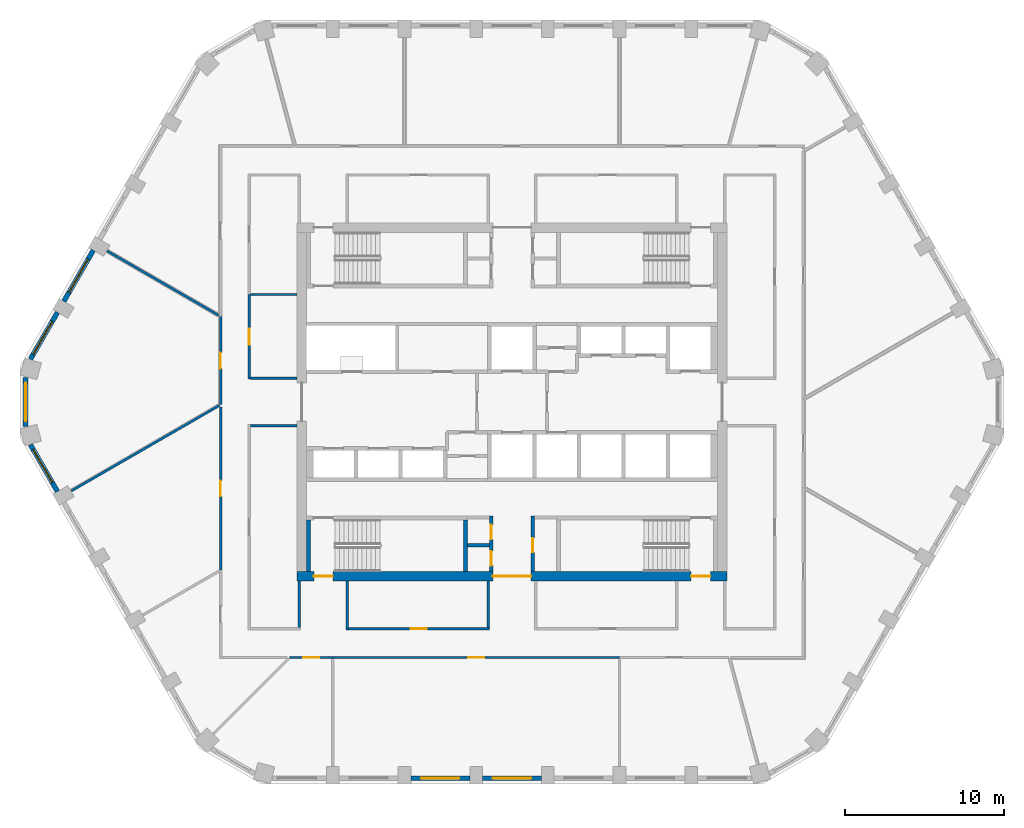
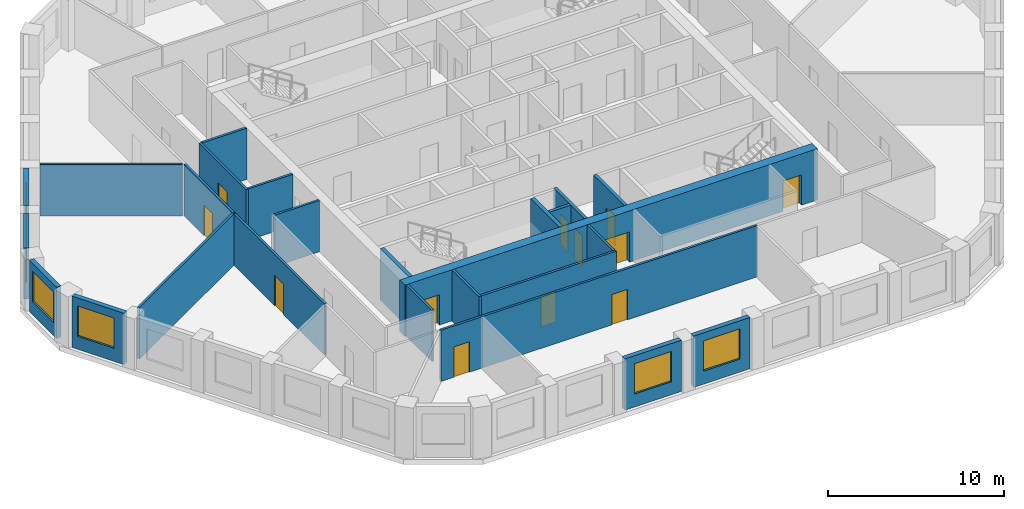
# One storey, part 2 of 13: 26 walls, 12 doors, 6 windows, 18 openings.
"""IFC4 building model written with IfcOpenShell, lengths in metres."""

from ifc_helpers import new_model, si_unit, direction, frame, frame_2d, origin, place, context, subcontext, project, spatial, rectangle, extrude, material, layer, layer_set, type_object, element, fill, save


model = new_model("IFC4")

# Units and contexts
model_context = context("Model", 3, precision=1e-05, world=origin(), true_north=direction((0.0, 1.0)))
body_context = subcontext(model_context, "Body", "Model", "MODEL_VIEW")
ifc_project = project(units=[si_unit("LENGTHUNIT", "METRE"), si_unit("AREAUNIT", "SQUARE_METRE"), si_unit("VOLUMEUNIT", "CUBIC_METRE"), si_unit("PLANEANGLEUNIT", "RADIAN"), si_unit("MASSUNIT", "GRAM", prefix="KILO")], contexts=[model_context])

# Site, building, storey
site_placement = place(None, origin())
site = spatial("IfcSite", under=ifc_project, at=site_placement, CompositionType="ELEMENT")
building_placement = place(site_placement, origin())
building = spatial("IfcBuilding", under=site, at=building_placement, Name="Dhurran Vertical Campus", CompositionType="ELEMENT")
storey_placement = place(building_placement, frame((0.0, 0.0, 191.699951171875)))
storey = spatial("IfcBuildingStorey", under=building, at=storey_placement, Name="L47", CompositionType="ELEMENT", Elevation=191.699951171875)

# Wall, opening, window
ifc_material_1 = material(Name="Precast concrete C50/60", Category="concrete")
ifc_layer_1 = layer(ifc_material_1, 0.300048828125)
ifc_layer_set_1 = layer_set([ifc_layer_1], Name="Precast concrete C50/60")
wall_type_1 = type_object("IfcWallType", Name="Precast spandrel wall 300", PredefinedType="SOLIDWALL", material=ifc_layer_set_1)
wall_1_placement = place(storey_placement, frame((-6.349609375, -23.635498046875, 0.0), z_axis=(0.0, 0.0, 1.0), x_axis=(1.0, 0.0, 0.0)))
wall_1 = element("IfcWall", 1, at=wall_1_placement, inside=storey, type_object=wall_type_1, Name="EW1 L47.02", PredefinedType="SOLIDWALL", context=body_context, shape_type="SweptSolid", body=[
    extrude(rectangle(XDim=3.69921875, YDim=0.300048828125, at=frame_2d((1.849609375, 0.0))), origin(), (0.0, 0.0, 1.0), 3.550048828125),
])
opening_1_placement = place(wall_1_placement, frame((0.6494140625, 0.0, 0.89990234375)))
opening_1 = element("IfcOpeningElement", 2, at=opening_1_placement, cuts=wall_1, Name="Opening WT1", PredefinedType="OPENING", context=body_context, shape_type="SweptSolid", body=[
    extrude(rectangle(XDim=2.39990234375, YDim=2.10009765625, at=frame_2d((1.199951171875, 1.050048828125))), frame((0.0, 0.159912109375, 0.0), z_axis=(0.0, -1.0, 0.0), x_axis=(1.0, 0.0, 0.0)), (0.0, 0.0, 1.0), 0.320068359375),
])
ifc_material_2 = material(Name="Aluminium frame with solar-control glass", Category="aluminium")
window_type = type_object("IfcWindowType", Name="Punched window 2400 x 2100", PartitioningType="SINGLE_PANEL", PredefinedType="WINDOW", material=ifc_material_2)
window_1_placement = place(opening_1_placement, origin())
window_1 = element("IfcWindow", 3, at=window_1_placement, inside=storey, type_object=window_type, Name="WT1 L47.02", OverallHeight=2.10009765625, OverallWidth=2.39990234375, PartitioningType="SINGLE_PANEL", PredefinedType="WINDOW", context=body_context, shape_type="SweptSolid", body=[
    extrude(rectangle(XDim=2.39990234375, YDim=2.10009765625, at=frame_2d((1.199951171875, 1.050048828125))), frame((0.0, 0.030029296875, 0.0), z_axis=(0.0, -1.0, 0.0), x_axis=(1.0, 0.0, 0.0)), (0.0, 0.0, 1.0), 0.06005859375),
])
fill(opening_1, window_1)

wall_2_placement = place(storey_placement, frame((-1.849609375, -23.635498046875, 0.0), z_axis=(0.0, 0.0, 1.0), x_axis=(1.0, 0.0, 0.0)))
wall_2 = element("IfcWall", 4, at=wall_2_placement, inside=storey, type_object=wall_type_1, Name="EW1 L47.03", PredefinedType="SOLIDWALL", context=body_context, shape_type="SweptSolid", body=[
    extrude(rectangle(XDim=3.69921875, YDim=0.300048828125, at=frame_2d((1.849609375, 0.0))), origin(), (0.0, 0.0, 1.0), 3.550048828125),
])
opening_2_placement = place(wall_2_placement, frame((0.6494140625, 0.0, 0.89990234375)))
opening_2 = element("IfcOpeningElement", 5, at=opening_2_placement, cuts=wall_2, Name="Opening WT1", PredefinedType="OPENING", context=body_context, shape_type="SweptSolid", body=[
    extrude(rectangle(XDim=2.39990234375, YDim=2.10009765625, at=frame_2d((1.199951171875, 1.050048828125))), frame((0.0, 0.159912109375, 0.0), z_axis=(0.0, -1.0, 0.0), x_axis=(1.0, 0.0, 0.0)), (0.0, 0.0, 1.0), 0.320068359375),
])
window_2_placement = place(opening_2_placement, origin())
window_2 = element("IfcWindow", 6, at=window_2_placement, inside=storey, type_object=window_type, Name="WT1 L47.03", OverallHeight=2.10009765625, OverallWidth=2.39990234375, PartitioningType="SINGLE_PANEL", PredefinedType="WINDOW", context=body_context, shape_type="SweptSolid", body=[
    extrude(rectangle(XDim=2.39990234375, YDim=2.10009765625, at=frame_2d((1.199951171875, 1.050048828125))), frame((0.0, 0.030029296875, 0.0), z_axis=(0.0, -1.0, 0.0), x_axis=(1.0, 0.0, 0.0)), (0.0, 0.0, 1.0), 0.06005859375),
])
fill(opening_2, window_2)

wall_3_placement = place(storey_placement, frame((-26.294189453125, 9.5224609375, 0.0), z_axis=(0.0, 0.0, 1.0), x_axis=(-0.500029062817, -0.866008623709, 0.0)))
wall_3 = element("IfcWall", 7, at=wall_3_placement, inside=storey, type_object=wall_type_1, Name="EW1 L47.31", PredefinedType="SOLIDWALL", context=body_context, shape_type="SweptSolid", body=[
    extrude(rectangle(XDim=3.698974609375, YDim=0.300048828125, at=frame_2d((1.849609375, 0.0))), origin(), (0.0, 0.0, 1.0), 3.550048828125),
])
opening_3_placement = place(wall_3_placement, frame((0.6494140625, 0.0, 0.89990234375)))
opening_3 = element("IfcOpeningElement", 8, at=opening_3_placement, cuts=wall_3, Name="Opening WT1", PredefinedType="OPENING", context=body_context, shape_type="SweptSolid", body=[
    extrude(rectangle(XDim=2.39990234375, YDim=2.10009765625, at=frame_2d((1.199951171875, 1.050048828125))), frame((0.0, 0.159912109375, 0.0), z_axis=(0.0, -1.0, 0.0), x_axis=(1.0, 0.0, 0.0)), (0.0, 0.0, 1.0), 0.320068359375),
])
window_3_placement = place(opening_3_placement, origin())
window_3 = element("IfcWindow", 9, at=window_3_placement, inside=storey, type_object=window_type, Name="WT1 L47.31", OverallHeight=2.10009765625, OverallWidth=2.39990234375, PartitioningType="SINGLE_PANEL", PredefinedType="WINDOW", context=body_context, shape_type="SweptSolid", body=[
    extrude(rectangle(XDim=2.39990234375, YDim=2.10009765625, at=frame_2d((1.199951171875, 1.050048828125))), frame((0.0, 0.030029296875, 0.0), z_axis=(0.0, -1.0, 0.0), x_axis=(1.0, 0.0, 0.0)), (0.0, 0.0, 1.0), 0.06005859375),
])
fill(opening_3, window_3)

wall_4_placement = place(storey_placement, frame((-28.544189453125, 5.625244140625, 0.0), z_axis=(0.0, 0.0, 1.0), x_axis=(-0.500012868213, -0.866017974191, 0.0)))
wall_4 = element("IfcWall", 10, at=wall_4_placement, inside=storey, type_object=wall_type_1, Name="EW1 L47.32", PredefinedType="SOLIDWALL", context=body_context, shape_type="SweptSolid", body=[
    extrude(rectangle(XDim=3.39599609375, YDim=0.300048828125, at=frame_2d((1.697998046875, 0.0))), origin(), (0.0, 0.0, 1.0), 3.550048828125),
])
opening_4_placement = place(wall_4_placement, frame((0.6494140625, 0.0, 0.89990234375)))
opening_4 = element("IfcOpeningElement", 11, at=opening_4_placement, cuts=wall_4, Name="Opening WT1", PredefinedType="OPENING", context=body_context, shape_type="SweptSolid", body=[
    extrude(rectangle(XDim=2.39990234375, YDim=2.10009765625, at=frame_2d((1.199951171875, 1.050048828125))), frame((0.0, 0.159912109375, 0.0), z_axis=(0.0, -1.0, 0.0), x_axis=(1.0, 0.0, 0.0)), (0.0, 0.0, 1.0), 0.320068359375),
])
window_4_placement = place(opening_4_placement, origin())
window_4 = element("IfcWindow", 12, at=window_4_placement, inside=storey, type_object=window_type, Name="WT1 L47.32", OverallHeight=2.10009765625, OverallWidth=2.39990234375, PartitioningType="SINGLE_PANEL", PredefinedType="WINDOW", context=body_context, shape_type="SweptSolid", body=[
    extrude(rectangle(XDim=2.39990234375, YDim=2.10009765625, at=frame_2d((1.199951171875, 1.050048828125))), frame((0.0, 0.030029296875, 0.0), z_axis=(0.0, -1.0, 0.0), x_axis=(1.0, 0.0, 0.0)), (0.0, 0.0, 1.0), 0.06005859375),
])
fill(opening_4, window_4)

wall_5_placement = place(storey_placement, frame((-30.547119140625, 1.54638671875, 0.0), z_axis=(0.0, 0.0, 1.0), x_axis=(0.0, -1.0, 0.0)))
wall_5 = element("IfcWall", 13, at=wall_5_placement, inside=storey, type_object=wall_type_1, Name="EW1 L47.33", PredefinedType="SOLIDWALL", context=body_context, shape_type="SweptSolid", body=[
    extrude(rectangle(XDim=3.0927734375, YDim=0.300048828125, at=frame_2d((1.54638671875, 0.0))), origin(), (0.0, 0.0, 1.0), 3.550048828125),
])
opening_5_placement = place(wall_5_placement, frame((0.34619140625, 0.0, 0.89990234375)))
opening_5 = element("IfcOpeningElement", 14, at=opening_5_placement, cuts=wall_5, Name="Opening WT1", PredefinedType="OPENING", context=body_context, shape_type="SweptSolid", body=[
    extrude(rectangle(XDim=2.39990234375, YDim=2.10009765625, at=frame_2d((1.199951171875, 1.050048828125))), frame((0.0, 0.159912109375, 0.0), z_axis=(0.0, -1.0, 0.0), x_axis=(1.0, 0.0, 0.0)), (0.0, 0.0, 1.0), 0.320068359375),
])
window_5_placement = place(opening_5_placement, origin())
window_5 = element("IfcWindow", 15, at=window_5_placement, inside=storey, type_object=window_type, Name="WT1 L47.33", OverallHeight=2.10009765625, OverallWidth=2.39990234375, PartitioningType="SINGLE_PANEL", PredefinedType="WINDOW", context=body_context, shape_type="SweptSolid", body=[
    extrude(rectangle(XDim=2.39990234375, YDim=2.10009765625, at=frame_2d((1.199951171875, 1.050048828125))), frame((0.0, 0.030029296875, 0.0), z_axis=(0.0, -1.0, 0.0), x_axis=(1.0, 0.0, 0.0)), (0.0, 0.0, 1.0), 0.06005859375),
])
fill(opening_5, window_5)

wall_6_placement = place(storey_placement, frame((-30.2421875, -2.684326171875, 0.0), z_axis=(0.0, 0.0, 1.0), x_axis=(0.500012868213, -0.866017974191, 0.0)))
wall_6 = element("IfcWall", 16, at=wall_6_placement, inside=storey, type_object=wall_type_1, Name="EW1 L47.34", PredefinedType="SOLIDWALL", context=body_context, shape_type="SweptSolid", body=[
    extrude(rectangle(XDim=3.39599609375, YDim=0.300048828125, at=frame_2d((1.697998046875, 0.0))), origin(), (0.0, 0.0, 1.0), 3.550048828125),
])
opening_6_placement = place(wall_6_placement, frame((0.346435546875, 0.0, 0.89990234375)))
opening_6 = element("IfcOpeningElement", 17, at=opening_6_placement, cuts=wall_6, Name="Opening WT1", PredefinedType="OPENING", context=body_context, shape_type="SweptSolid", body=[
    extrude(rectangle(XDim=2.39990234375, YDim=2.10009765625, at=frame_2d((1.199951171875, 1.050048828125))), frame((0.0, 0.159912109375, 0.0), z_axis=(0.0, -1.0, 0.0), x_axis=(1.0, 0.0, 0.0)), (0.0, 0.0, 1.0), 0.320068359375),
])
window_6_placement = place(opening_6_placement, origin())
window_6 = element("IfcWindow", 18, at=window_6_placement, inside=storey, type_object=window_type, Name="WT1 L47.34", OverallHeight=2.10009765625, OverallWidth=2.39990234375, PartitioningType="SINGLE_PANEL", PredefinedType="WINDOW", context=body_context, shape_type="SweptSolid", body=[
    extrude(rectangle(XDim=2.39990234375, YDim=2.10009765625, at=frame_2d((1.199951171875, 1.050048828125))), frame((0.0, 0.030029296875, 0.0), z_axis=(0.0, -1.0, 0.0), x_axis=(1.0, 0.0, 0.0)), (0.0, 0.0, 1.0), 0.06005859375),
])
fill(opening_6, window_6)

# Wall, openings, doors
ifc_material_3 = material(Name="Concrete C50/60", Category="concrete")
ifc_layer_2 = layer(ifc_material_3, 0.60009765625)
ifc_layer_set_2 = layer_set([ifc_layer_2], Name="Concrete C50/60")
wall_type_2 = type_object("IfcWallType", Name="co-CORE-WALL-C2-600", PredefinedType="SHEAR", material=ifc_layer_set_2)
wall_7_placement = place(storey_placement, frame((-13.5, -10.949951171875, 0.0), z_axis=(0.0, 0.0, 1.0), x_axis=(1.0, 0.0, 0.0)))
wall_7 = element("IfcWall", 19, at=wall_7_placement, inside=storey, type_object=wall_type_2, Name="Core wall S L47", PredefinedType="SHEAR", context=body_context, shape_type="SweptSolid", body=[
    extrude(rectangle(XDim=27.0, YDim=0.60009765625, at=frame_2d((13.5, 0.0))), origin(), (0.0, 0.0, 1.0), 3.550048828125),
])
opening_7_placement = place(wall_7_placement, frame((12.300048828125, 0.0, 0.0)))
opening_7 = element("IfcOpeningElement", 20, at=opening_7_placement, cuts=wall_7, Name="Opening CV2", PredefinedType="OPENING", context=body_context, shape_type="SweptSolid", body=[
    extrude(rectangle(XDim=2.39990234375, YDim=2.10009765625, at=frame_2d((1.199951171875, 1.050048828125))), frame((0.0, 0.31005859375, 0.0), z_axis=(0.0, -1.0, 0.0), x_axis=(1.0, 0.0, 0.0)), (0.0, 0.0, 1.0), 0.6201171875),
])
opening_8_placement = place(wall_7_placement, frame((1.050048828125, 0.0, 0.0)))
opening_8 = element("IfcOpeningElement", 21, at=opening_8_placement, cuts=wall_7, Name="Opening XD3", PredefinedType="OPENING", context=body_context, shape_type="SweptSolid", body=[
    extrude(rectangle(XDim=1.199951171875, YDim=2.10009765625, at=frame_2d((0.60009765625, 1.050048828125))), frame((0.0, 0.31005859375, 0.0), z_axis=(0.0, -1.0, 0.0), x_axis=(1.0, 0.0, 0.0)), (0.0, 0.0, 1.0), 0.6201171875),
])
opening_9_placement = place(wall_7_placement, frame((24.75, 0.0, 0.0)))
opening_9 = element("IfcOpeningElement", 22, at=opening_9_placement, cuts=wall_7, Name="Opening XD4", PredefinedType="OPENING", context=body_context, shape_type="SweptSolid", body=[
    extrude(rectangle(XDim=1.199951171875, YDim=2.10009765625, at=frame_2d((0.60009765625, 1.050048828125))), frame((0.0, 0.31005859375, 0.0), z_axis=(0.0, -1.0, 0.0), x_axis=(1.0, 0.0, 0.0)), (0.0, 0.0, 1.0), 0.6201171875),
])
ifc_material_4 = material(Name="Fire-rated glazed door set")
door_type_1 = type_object("IfcDoorType", Name="co-D-LOBBY 2400x2100", OperationType="DOUBLE_DOOR_DOUBLE_SWING", PredefinedType="DOOR", material=ifc_material_4)
door_1_placement = place(opening_7_placement, origin())
door_1 = element("IfcDoor", 23, at=door_1_placement, inside=storey, type_object=door_type_1, Name="Core vestibule door S L47", OperationType="DOUBLE_DOOR_DOUBLE_SWING", OverallHeight=2.10009765625, OverallWidth=2.39990234375, PredefinedType="DOOR", context=body_context, shape_type="SweptSolid", body=[
    extrude(rectangle(XDim=2.39990234375, YDim=2.10009765625, at=frame_2d((1.199951171875, 1.050048828125))), frame((0.0, 0.02490234375, 0.0), z_axis=(0.0, -1.0, 0.0), x_axis=(1.0, 0.0, 0.0)), (0.0, 0.0, 1.0), 0.050048828125),
])
fill(opening_7, door_1)
ifc_material_5 = material(Name="Fire-rated steel door set", Category="steel")
door_type_2 = type_object("IfcDoorType", Name="co-D-STAIR-EXIT 1200x2100", OperationType="SINGLE_SWING_RIGHT", PredefinedType="DOOR", material=ifc_material_5)
door_2_placement = place(opening_8_placement, origin())
door_2 = element("IfcDoor", 24, at=door_2_placement, inside=storey, type_object=door_type_2, Name="Stair ST3 exit door L47", OperationType="SINGLE_SWING_RIGHT", OverallHeight=2.10009765625, OverallWidth=1.199951171875, PredefinedType="DOOR", context=body_context, shape_type="SweptSolid", body=[
    extrude(rectangle(XDim=1.199951171875, YDim=2.10009765625, at=frame_2d((0.60009765625, 1.050048828125))), frame((0.0, 0.02490234375, 0.0), z_axis=(0.0, -1.0, 0.0), x_axis=(1.0, 0.0, 0.0)), (0.0, 0.0, 1.0), 0.050048828125),
])
fill(opening_8, door_2)
door_3_placement = place(opening_9_placement, origin())
door_3 = element("IfcDoor", 25, at=door_3_placement, inside=storey, type_object=door_type_2, Name="Stair ST4 exit door L47", OperationType="SINGLE_SWING_RIGHT", OverallHeight=2.10009765625, OverallWidth=1.199951171875, PredefinedType="DOOR", context=body_context, shape_type="SweptSolid", body=[
    extrude(rectangle(XDim=1.199951171875, YDim=2.10009765625, at=frame_2d((0.60009765625, 1.050048828125))), frame((0.0, 0.02490234375, 0.0), z_axis=(0.0, -1.0, 0.0), x_axis=(1.0, 0.0, 0.0)), (0.0, 0.0, 1.0), 0.050048828125),
])
fill(opening_9, door_3)

# Wall
ifc_material_6 = material(Name="Fire-rated masonry blockwork", Category="masonry")
ifc_layer_3 = layer(ifc_material_6, 0.199951171875)
ifc_layer_set_3 = layer_set([ifc_layer_3], Name="Fire-rated masonry blockwork")
wall_type_3 = type_object("IfcWallType", Name="co-FIRE-PARTITION-200", PredefinedType="PARTITIONING", material=ifc_layer_set_3)
wall_8_placement = place(storey_placement, frame((-2.800048828125, -9.0, 0.0), z_axis=(0.0, 0.0, 1.0), x_axis=(1.0, 0.0, 0.0)))
element("IfcWall", 26, at=wall_8_placement, inside=storey, type_object=wall_type_3, Name="Core partition sl-SW-cut0 L47", PredefinedType="PARTITIONING", context=body_context, shape_type="SweptSolid", body=[
    extrude(rectangle(XDim=1.400146484375, YDim=0.199951171875, at=frame_2d((0.7001953125, 0.0))), origin(), (0.0, 0.0, 1.0), 3.550048828125),
])

# Wall, openings, doors
wall_9_placement = place(storey_placement, frame((-1.300048828125, -10.64990234375, 0.0), z_axis=(0.0, 0.0, 1.0), x_axis=(0.0, 1.0, 0.0)))
wall_9 = element("IfcWall", 27, at=wall_9_placement, inside=storey, type_object=wall_type_3, Name="Core partition vest-SW L47", PredefinedType="PARTITIONING", context=body_context, shape_type="SweptSolid", body=[
    extrude(rectangle(XDim=3.5, YDim=0.199951171875, at=frame_2d((1.75, 0.0))), origin(), (0.0, 0.0, 1.0), 3.550048828125),
])
opening_10_placement = place(wall_9_placement, frame((0.375, 0.0, 0.0)))
opening_10 = element("IfcOpeningElement", 28, at=opening_10_placement, cuts=wall_9, Name="Opening T13-C1", PredefinedType="OPENING", context=body_context, shape_type="SweptSolid", body=[
    extrude(rectangle(XDim=0.89990234375, YDim=2.10009765625, at=frame_2d((0.449951171875, 1.050048828125))), frame((0.0, 0.10986328125, 0.0), z_axis=(0.0, -1.0, 0.0), x_axis=(1.0, 0.0, 0.0)), (0.0, 0.0, 1.0), 0.219970703125),
])
opening_11_placement = place(wall_9_placement, frame((2.02490234375, 0.0, 0.0)))
opening_11 = element("IfcOpeningElement", 29, at=opening_11_placement, cuts=wall_9, Name="Opening T13-C2", PredefinedType="OPENING", context=body_context, shape_type="SweptSolid", body=[
    extrude(rectangle(XDim=0.89990234375, YDim=2.10009765625, at=frame_2d((0.449951171875, 1.050048828125))), frame((0.0, 0.10986328125, 0.0), z_axis=(0.0, -1.0, 0.0), x_axis=(1.0, 0.0, 0.0)), (0.0, 0.0, 1.0), 0.219970703125),
])
ifc_material_7 = material(Name="Fire-rated timber door set", Category="wood")
door_type_3 = type_object("IfcDoorType", Name="co-D-ROOM 900x2100", OperationType="SINGLE_SWING_LEFT", PredefinedType="DOOR", material=ifc_material_7)
door_4_placement = place(opening_10_placement, origin())
door_4 = element("IfcDoor", 30, at=door_4_placement, inside=storey, type_object=door_type_3, Name="Print room door L47", OperationType="SINGLE_SWING_LEFT", OverallHeight=2.10009765625, OverallWidth=0.89990234375, PredefinedType="DOOR", context=body_context, shape_type="SweptSolid", body=[
    extrude(rectangle(XDim=0.89990234375, YDim=2.10009765625, at=frame_2d((0.449951171875, 1.050048828125))), frame((0.0, 0.02490234375, 0.0), z_axis=(0.0, -1.0, 0.0), x_axis=(1.0, 0.0, 0.0)), (0.0, 0.0, 1.0), 0.050048828125),
])
fill(opening_10, door_4)
door_5_placement = place(opening_11_placement, origin())
door_5 = element("IfcDoor", 31, at=door_5_placement, inside=storey, type_object=door_type_3, Name="Communications room door L47", OperationType="SINGLE_SWING_LEFT", OverallHeight=2.10009765625, OverallWidth=0.89990234375, PredefinedType="DOOR", context=body_context, shape_type="SweptSolid", body=[
    extrude(rectangle(XDim=0.89990234375, YDim=2.10009765625, at=frame_2d((0.449951171875, 1.050048828125))), frame((0.0, 0.02490234375, 0.0), z_axis=(0.0, -1.0, 0.0), x_axis=(1.0, 0.0, 0.0)), (0.0, 0.0, 1.0), 0.050048828125),
])
fill(opening_11, door_5)

# Wall, opening, door
wall_10_placement = place(storey_placement, frame((1.300048828125, -10.64990234375, 0.0), z_axis=(0.0, 0.0, 1.0), x_axis=(0.0, 1.0, 0.0)))
wall_10 = element("IfcWall", 32, at=wall_10_placement, inside=storey, type_object=wall_type_3, Name="Core partition vest-SE L47", PredefinedType="PARTITIONING", context=body_context, shape_type="SweptSolid", body=[
    extrude(rectangle(XDim=3.5, YDim=0.199951171875, at=frame_2d((1.75, 0.0))), origin(), (0.0, 0.0, 1.0), 3.550048828125),
])
opening_12_placement = place(wall_10_placement, frame((1.199951171875, 0.0, 0.0)))
opening_12 = element("IfcOpeningElement", 33, at=opening_12_placement, cuts=wall_10, Name="Opening T13-C3", PredefinedType="OPENING", context=body_context, shape_type="SweptSolid", body=[
    extrude(rectangle(XDim=0.89990234375, YDim=2.10009765625, at=frame_2d((0.449951171875, 1.050048828125))), frame((0.0, 0.10986328125, 0.0), z_axis=(0.0, -1.0, 0.0), x_axis=(1.0, 0.0, 0.0)), (0.0, 0.0, 1.0), 0.219970703125),
])
door_6_placement = place(opening_12_placement, origin())
door_6 = element("IfcDoor", 34, at=door_6_placement, inside=storey, type_object=door_type_3, Name="Cleaner's store door L47", OperationType="SINGLE_SWING_LEFT", OverallHeight=2.10009765625, OverallWidth=0.89990234375, PredefinedType="DOOR", context=body_context, shape_type="SweptSolid", body=[
    extrude(rectangle(XDim=0.89990234375, YDim=2.10009765625, at=frame_2d((0.449951171875, 1.050048828125))), frame((0.0, 0.02490234375, 0.0), z_axis=(0.0, -1.0, 0.0), x_axis=(1.0, 0.0, 0.0)), (0.0, 0.0, 1.0), 0.050048828125),
])
fill(opening_12, door_6)

# Walls
ifc_material_8 = material(Name="Concrete C40/50", Category="concrete")
ifc_layer_4 = layer(ifc_material_8, 0.25)
ifc_layer_set_4 = layer_set([ifc_layer_4], Name="Concrete C40/50")
wall_type_4 = type_object("IfcWallType", Name="co-STAIR-WALL-250", PredefinedType="SHEAR", material=ifc_layer_set_4)
for number, where, z_axis, x_axis, name in (
    (35, (-12.77490234375, -10.64990234375, 0.0), (0.0, 0.0, 1.0), (0.0, 1.0, 0.0), "Stair ST3 enclosure wall L47"),
    (36, (-2.925048828125, -10.64990234375, 0.0), (0.0, 0.0, 1.0), (0.0, 1.0, 0.0), "Stair ST3 enclosure wall L47"),
):
    element("IfcWall", number, at=place(storey_placement, frame(where, z_axis=z_axis, x_axis=x_axis)), inside=storey, type_object=wall_type_4, Name=name, PredefinedType="SHEAR", context=body_context, shape_type="SweptSolid", body=[
        extrude(rectangle(XDim=3.25, YDim=0.25, at=frame_2d((1.625, 0.0))), origin(), (0.0, 0.0, 1.0), 3.550048828125),
    ])

# Wall, opening, door
ifc_material_9 = material(Name="Gypsum board corridor wall on steel studs", Category="steel")
ifc_layer_5 = layer(ifc_material_9, 0.14990234375)
ifc_layer_set_5 = layer_set([ifc_layer_5], Name="Gypsum board corridor wall on steel studs")
wall_type_5 = type_object("IfcWallType", Name="fl-CW-150 corridor wall", PredefinedType="PARTITIONING", material=ifc_layer_set_5)
wall_11_placement = place(storey_placement, frame((-18.300048828125, -0.302978515625, 0.0), z_axis=(0.0, 0.0, 1.0), x_axis=(0.0, -1.0, 0.0)))
wall_11 = element("IfcWall", 37, at=wall_11_placement, inside=storey, type_object=wall_type_5, Name="Partition 47-07", PredefinedType="PARTITIONING", context=body_context, shape_type="SweptSolid", body=[
    extrude(rectangle(XDim=10.262939453125, YDim=0.14990234375, at=frame_2d((5.13134765625, 0.0))), origin(), (0.0, 0.0, 1.0), 3.550048828125),
])
opening_13_placement = place(wall_11_placement, frame((4.631591796875, 0.0, 0.0)))
opening_13 = element("IfcOpeningElement", 38, at=opening_13_placement, cuts=wall_11, Name="Opening T13.02", PredefinedType="OPENING", context=body_context, shape_type="SweptSolid", body=[
    extrude(rectangle(XDim=1.0, YDim=2.10009765625, at=frame_2d((0.5, 1.050048828125))), frame((0.0, 0.0849609375, 0.0), z_axis=(0.0, -1.0, 0.0), x_axis=(1.0, 0.0, 0.0)), (0.0, 0.0, 1.0), 0.169921875),
])
ifc_material_10 = material(Name="Solid-core timber door set, fire-rated", Category="wood")
door_type_4 = type_object("IfcDoorType", Name="fl-D-1000x2100", OperationType="SINGLE_SWING_LEFT", PredefinedType="DOOR", material=ifc_material_10)
door_7_placement = place(opening_13_placement, origin())
door_7 = element("IfcDoor", 39, at=door_7_placement, inside=storey, type_object=door_type_4, Name="Door 47.02", OperationType="SINGLE_SWING_RIGHT", OverallHeight=2.10009765625, OverallWidth=1.0, PredefinedType="DOOR", context=body_context, shape_type="SweptSolid", body=[
    extrude(rectangle(XDim=1.0, YDim=2.10009765625, at=frame_2d((0.5, 1.050048828125))), frame((0.0, 0.02490234375, 0.0), z_axis=(0.0, -1.0, 0.0), x_axis=(1.0, 0.0, 0.0)), (0.0, 0.0, 1.0), 0.050048828125),
])
fill(opening_13, door_7)

wall_12_placement = place(storey_placement, frame((-18.300048828125, 5.368896484375, 0.0), z_axis=(0.0, 0.0, 1.0), x_axis=(0.0, -1.0, 0.0)))
wall_12 = element("IfcWall", 40, at=wall_12_placement, inside=storey, type_object=wall_type_5, Name="Partition 47-08", PredefinedType="PARTITIONING", context=body_context, shape_type="SweptSolid", body=[
    extrude(rectangle(XDim=5.5419921875, YDim=0.14990234375, at=frame_2d((2.77099609375, 0.0))), origin(), (0.0, 0.0, 1.0), 3.550048828125),
])
opening_14_placement = place(wall_12_placement, frame((2.27099609375, 0.0, 0.0)))
opening_14 = element("IfcOpeningElement", 41, at=opening_14_placement, cuts=wall_12, Name="Opening T13.01", PredefinedType="OPENING", context=body_context, shape_type="SweptSolid", body=[
    extrude(rectangle(XDim=1.0, YDim=2.10009765625, at=frame_2d((0.5, 1.050048828125))), frame((0.0, 0.0849609375, 0.0), z_axis=(0.0, -1.0, 0.0), x_axis=(1.0, 0.0, 0.0)), (0.0, 0.0, 1.0), 0.169921875),
])
door_8_placement = place(opening_14_placement, origin())
door_8 = element("IfcDoor", 42, at=door_8_placement, inside=storey, type_object=door_type_4, Name="Door 47.01", OperationType="SINGLE_SWING_LEFT", OverallHeight=2.10009765625, OverallWidth=1.0, PredefinedType="DOOR", context=body_context, shape_type="SweptSolid", body=[
    extrude(rectangle(XDim=1.0, YDim=2.10009765625, at=frame_2d((0.5, 1.050048828125))), frame((0.0, 0.02490234375, 0.0), z_axis=(0.0, -1.0, 0.0), x_axis=(1.0, 0.0, 0.0)), (0.0, 0.0, 1.0), 0.050048828125),
])
fill(opening_14, door_8)

# Wall
wall_13_placement = place(storey_placement, frame((-16.425048828125, -1.5, 0.0), z_axis=(0.0, 0.0, 1.0), x_axis=(1.0, 0.0, 0.0)))
element("IfcWall", 43, at=wall_13_placement, inside=storey, type_object=wall_type_5, Name="Partition 47-13", PredefinedType="PARTITIONING", context=body_context, shape_type="SweptSolid", body=[
    extrude(rectangle(XDim=2.925048828125, YDim=0.14990234375, at=frame_2d((1.46240234375, 0.0))), origin(), (0.0, 0.0, 1.0), 3.550048828125),
])

# Wall, opening, door
wall_14_placement = place(storey_placement, frame((-16.5, 1.425048828125, 0.0), z_axis=(0.0, 0.0, 1.0), x_axis=(0.0, 1.0, 0.0)))
wall_14 = element("IfcWall", 44, at=wall_14_placement, inside=storey, type_object=wall_type_5, Name="Partition 47-14", PredefinedType="PARTITIONING", context=body_context, shape_type="SweptSolid", body=[
    extrude(rectangle(XDim=5.324951171875, YDim=0.14990234375, at=frame_2d((2.66259765625, 0.0))), origin(), (0.0, 0.0, 1.0), 3.550048828125),
])
opening_15_placement = place(wall_14_placement, frame((2.16259765625, 0.0, 0.0)))
opening_15 = element("IfcOpeningElement", 45, at=opening_15_placement, cuts=wall_14, Name="Opening T13.05", PredefinedType="OPENING", context=body_context, shape_type="SweptSolid", body=[
    extrude(rectangle(XDim=1.0, YDim=2.10009765625, at=frame_2d((0.5, 1.050048828125))), frame((0.0, 0.0849609375, 0.0), z_axis=(0.0, -1.0, 0.0), x_axis=(1.0, 0.0, 0.0)), (0.0, 0.0, 1.0), 0.169921875),
])
door_9_placement = place(opening_15_placement, origin())
door_9 = element("IfcDoor", 46, at=door_9_placement, inside=storey, type_object=door_type_4, Name="Door 47.05", OperationType="SINGLE_SWING_RIGHT", OverallHeight=2.10009765625, OverallWidth=1.0, PredefinedType="DOOR", context=body_context, shape_type="SweptSolid", body=[
    extrude(rectangle(XDim=1.0, YDim=2.10009765625, at=frame_2d((0.5, 1.050048828125))), frame((0.0, 0.02490234375, 0.0), z_axis=(0.0, -1.0, 0.0), x_axis=(1.0, 0.0, 0.0)), (0.0, 0.0, 1.0), 0.050048828125),
])
fill(opening_15, door_9)

# Wall
wall_15_placement = place(storey_placement, frame((-13.5, 1.5, 0.0), z_axis=(0.0, 0.0, 1.0), x_axis=(-1.0, 0.0, 0.0)))
element("IfcWall", 47, at=wall_15_placement, inside=storey, type_object=wall_type_5, Name="Partition 47-15", PredefinedType="PARTITIONING", context=body_context, shape_type="SweptSolid", body=[
    extrude(rectangle(XDim=2.925048828125, YDim=0.14990234375, at=frame_2d((1.46240234375, 0.0))), origin(), (0.0, 0.0, 1.0), 3.550048828125),
])

# Wall, opening, door
wall_16_placement = place(storey_placement, frame((-13.9619140625, -16.050048828125, 0.0), z_axis=(0.0, 0.0, 1.0), x_axis=(1.0, 0.0, 0.0)))
wall_16 = element("IfcWall", 48, at=wall_16_placement, inside=storey, type_object=wall_type_5, Name="Partition 47-20", PredefinedType="PARTITIONING", context=body_context, shape_type="SweptSolid", body=[
    extrude(rectangle(XDim=2.7119140625, YDim=0.14990234375, at=frame_2d((1.35595703125, 0.0))), origin(), (0.0, 0.0, 1.0), 3.550048828125),
])
opening_16_placement = place(wall_16_placement, frame((0.85595703125, 0.0, 0.0)))
opening_16 = element("IfcOpeningElement", 49, at=opening_16_placement, cuts=wall_16, Name="Opening T13.08", PredefinedType="OPENING", context=body_context, shape_type="SweptSolid", body=[
    extrude(rectangle(XDim=1.0, YDim=2.10009765625, at=frame_2d((0.5, 1.050048828125))), frame((0.0, 0.0849609375, 0.0), z_axis=(0.0, -1.0, 0.0), x_axis=(1.0, 0.0, 0.0)), (0.0, 0.0, 1.0), 0.169921875),
])
door_10_placement = place(opening_16_placement, origin())
door_10 = element("IfcDoor", 50, at=door_10_placement, inside=storey, type_object=door_type_4, Name="Door 47.08", OperationType="SINGLE_SWING_LEFT", OverallHeight=2.10009765625, OverallWidth=1.0, PredefinedType="DOOR", context=body_context, shape_type="SweptSolid", body=[
    extrude(rectangle(XDim=1.0, YDim=2.10009765625, at=frame_2d((0.5, 1.050048828125))), frame((0.0, 0.02490234375, 0.0), z_axis=(0.0, -1.0, 0.0), x_axis=(1.0, 0.0, 0.0)), (0.0, 0.0, 1.0), 0.050048828125),
])
fill(opening_16, door_10)

# Wall
wall_17_placement = place(storey_placement, frame((-13.35009765625, -11.25, 0.0), z_axis=(0.0, 0.0, 1.0), x_axis=(0.0, -1.0, 0.0)))
element("IfcWall", 51, at=wall_17_placement, inside=storey, type_object=wall_type_5, Name="Partition 47-22", PredefinedType="PARTITIONING", context=body_context, shape_type="SweptSolid", body=[
    extrude(rectangle(XDim=2.925048828125, YDim=0.14990234375, at=frame_2d((1.46240234375, 0.0))), origin(), (0.0, 0.0, 1.0), 3.550048828125),
])

# Wall, opening, door
wall_18_placement = place(storey_placement, frame((-11.25, -16.050048828125, 0.0), z_axis=(0.0, 0.0, 1.0), x_axis=(1.0, 0.0, 0.0)))
wall_18 = element("IfcWall", 52, at=wall_18_placement, inside=storey, type_object=wall_type_5, Name="Partition 47-25", PredefinedType="PARTITIONING", context=body_context, shape_type="SweptSolid", body=[
    extrude(rectangle(XDim=18.0, YDim=0.14990234375, at=frame_2d((9.0, 0.0))), origin(), (0.0, 0.0, 1.0), 3.550048828125),
])
opening_17_placement = place(wall_18_placement, frame((8.5, 0.0, 0.0)))
opening_17 = element("IfcOpeningElement", 53, at=opening_17_placement, cuts=wall_18, Name="Opening T13.12", PredefinedType="OPENING", context=body_context, shape_type="SweptSolid", body=[
    extrude(rectangle(XDim=1.0, YDim=2.10009765625, at=frame_2d((0.5, 1.050048828125))), frame((0.0, 0.0849609375, 0.0), z_axis=(0.0, -1.0, 0.0), x_axis=(1.0, 0.0, 0.0)), (0.0, 0.0, 1.0), 0.169921875),
])
door_11_placement = place(opening_17_placement, origin())
door_11 = element("IfcDoor", 54, at=door_11_placement, inside=storey, type_object=door_type_4, Name="Door 47.12", OperationType="SINGLE_SWING_RIGHT", OverallHeight=2.10009765625, OverallWidth=1.0, PredefinedType="DOOR", context=body_context, shape_type="SweptSolid", body=[
    extrude(rectangle(XDim=1.0, YDim=2.10009765625, at=frame_2d((0.5, 1.050048828125))), frame((0.0, 0.02490234375, 0.0), z_axis=(0.0, -1.0, 0.0), x_axis=(1.0, 0.0, 0.0)), (0.0, 0.0, 1.0), 0.050048828125),
])
fill(opening_17, door_11)

# Wall
wall_19_placement = place(storey_placement, frame((-10.35009765625, -14.324951171875, 0.0), z_axis=(0.0, 0.0, 1.0), x_axis=(0.0, 1.0, 0.0)))
element("IfcWall", 55, at=wall_19_placement, inside=storey, type_object=wall_type_5, Name="Partition 47-26", PredefinedType="PARTITIONING", context=body_context, shape_type="SweptSolid", body=[
    extrude(rectangle(XDim=3.074951171875, YDim=0.14990234375, at=frame_2d((1.53759765625, 0.0))), origin(), (0.0, 0.0, 1.0), 3.550048828125),
])

# Wall, opening, door
wall_20_placement = place(storey_placement, frame((-1.425048828125, -14.25, 0.0), z_axis=(0.0, 0.0, 1.0), x_axis=(-1.0, 0.0, 0.0)))
wall_20 = element("IfcWall", 56, at=wall_20_placement, inside=storey, type_object=wall_type_5, Name="Partition 47-27", PredefinedType="PARTITIONING", context=body_context, shape_type="SweptSolid", body=[
    extrude(rectangle(XDim=8.849853515625, YDim=0.14990234375, at=frame_2d((4.4248046875, 0.0))), origin(), (0.0, 0.0, 1.0), 3.550048828125),
])
opening_18_placement = place(wall_20_placement, frame((3.925048828125, 0.0, 0.0)))
opening_18 = element("IfcOpeningElement", 57, at=opening_18_placement, cuts=wall_20, Name="Opening T13.10", PredefinedType="OPENING", context=body_context, shape_type="SweptSolid", body=[
    extrude(rectangle(XDim=1.0, YDim=2.10009765625, at=frame_2d((0.5, 1.050048828125))), frame((0.0, 0.0849609375, 0.0), z_axis=(0.0, -1.0, 0.0), x_axis=(1.0, 0.0, 0.0)), (0.0, 0.0, 1.0), 0.169921875),
])
door_12_placement = place(opening_18_placement, origin())
door_12 = element("IfcDoor", 58, at=door_12_placement, inside=storey, type_object=door_type_4, Name="Door 47.10", OperationType="SINGLE_SWING_RIGHT", OverallHeight=2.10009765625, OverallWidth=1.0, PredefinedType="DOOR", context=body_context, shape_type="SweptSolid", body=[
    extrude(rectangle(XDim=1.0, YDim=2.10009765625, at=frame_2d((0.5, 1.050048828125))), frame((0.0, 0.02490234375, 0.0), z_axis=(0.0, -1.0, 0.0), x_axis=(1.0, 0.0, 0.0)), (0.0, 0.0, 1.0), 0.050048828125),
])
fill(opening_18, door_12)

# Walls
wall_21_placement = place(storey_placement, frame((-1.5, -11.25, 0.0), z_axis=(0.0, 0.0, 1.0), x_axis=(0.0, -1.0, 0.0)))
element("IfcWall", 59, at=wall_21_placement, inside=storey, type_object=wall_type_5, Name="Partition 47-32", PredefinedType="PARTITIONING", context=body_context, shape_type="SweptSolid", body=[
    extrude(rectangle(XDim=2.925048828125, YDim=0.14990234375, at=frame_2d((1.46240234375, 0.0))), origin(), (0.0, 0.0, 1.0), 3.550048828125),
])
ifc_material_11 = material(Name="Gypsum board partition on steel studs", Category="steel")
ifc_layer_6 = layer(ifc_material_11, 0.14990234375)
ifc_layer_set_6 = layer_set([ifc_layer_6], Name="Gypsum board partition on steel studs")
wall_type_6 = type_object("IfcWallType", Name="fl-PW-150 fixed partition", PredefinedType="PARTITIONING", material=ifc_layer_set_6)
wall_22_placement = place(storey_placement, frame((-18.364990234375, -0.21044921875, 0.0), z_axis=(0.0, 0.0, 1.0), x_axis=(-0.866008630453, -0.500029051137, 0.0)))
element("IfcWall", 60, at=wall_22_placement, inside=storey, type_object=wall_type_6, Name="Partition 47-01", PredefinedType="PARTITIONING", context=body_context, shape_type="SweptSolid", body=[
    extrude(rectangle(XDim=10.752685546875, YDim=0.14990234375, at=frame_2d((5.37646484375, 0.0))), origin(), (0.0, 0.0, 1.0), 3.550048828125),
])
wall_23_placement = place(storey_placement, frame((-25.42724609375, 9.484130859375, 0.0), z_axis=(0.0, 0.0, 1.0), x_axis=(0.866017937352, -0.500012932018, 0.0)))
element("IfcWall", 61, at=wall_23_placement, inside=storey, type_object=wall_type_6, Name="Partition 47-02", PredefinedType="PARTITIONING", context=body_context, shape_type="SweptSolid", body=[
    extrude(rectangle(XDim=8.099853515625, YDim=0.14990234375, at=frame_2d((4.0498046875, 0.0))), origin(), (0.0, 0.0, 1.0), 3.550048828125),
])
wall_24_placement = place(storey_placement, frame((-16.425048828125, 6.75, 0.0), z_axis=(0.0, 0.0, 1.0), x_axis=(1.0, 0.0, 0.0)))
element("IfcWall", 62, at=wall_24_placement, inside=storey, type_object=wall_type_6, Name="Partition 47-17", PredefinedType="PARTITIONING", context=body_context, shape_type="SweptSolid", body=[
    extrude(rectangle(XDim=2.925048828125, YDim=0.14990234375, at=frame_2d((1.46240234375, 0.0))), origin(), (0.0, 0.0, 1.0), 3.550048828125),
])

save(model, "model.ifc")
